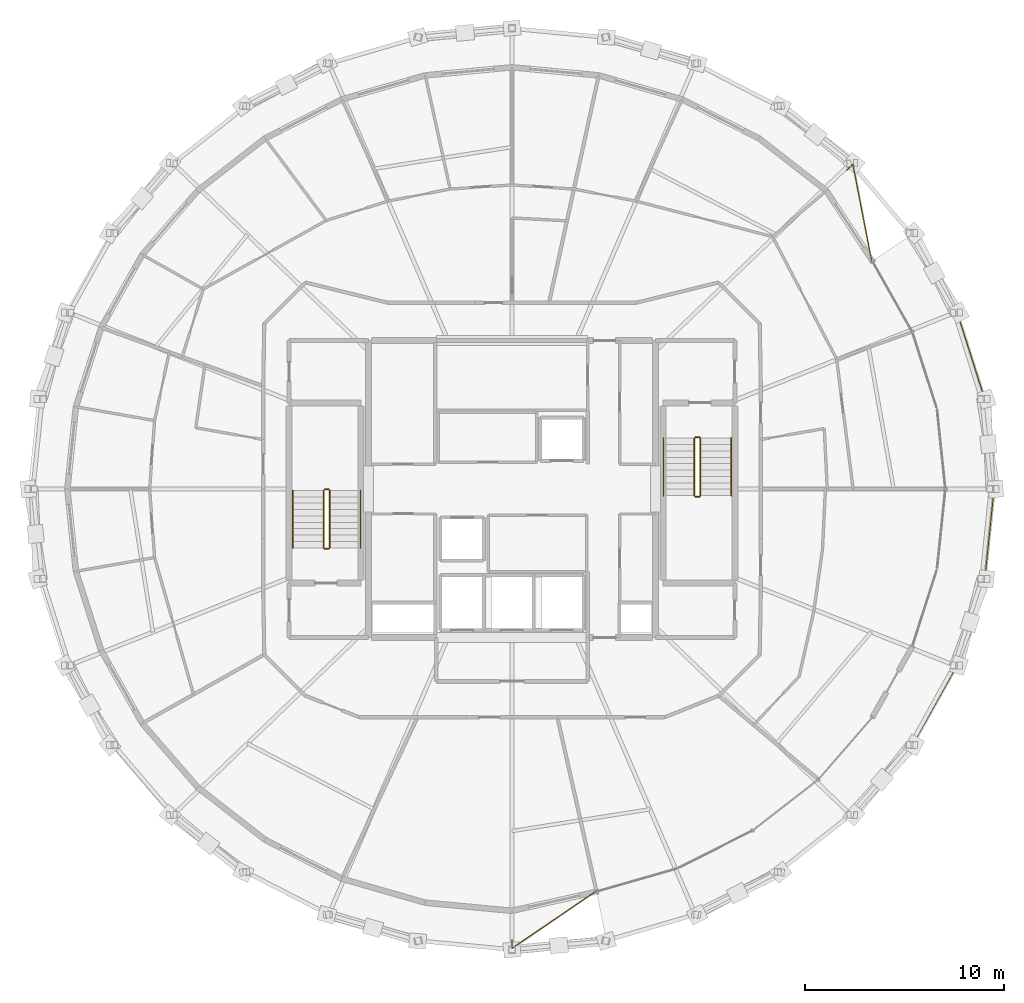
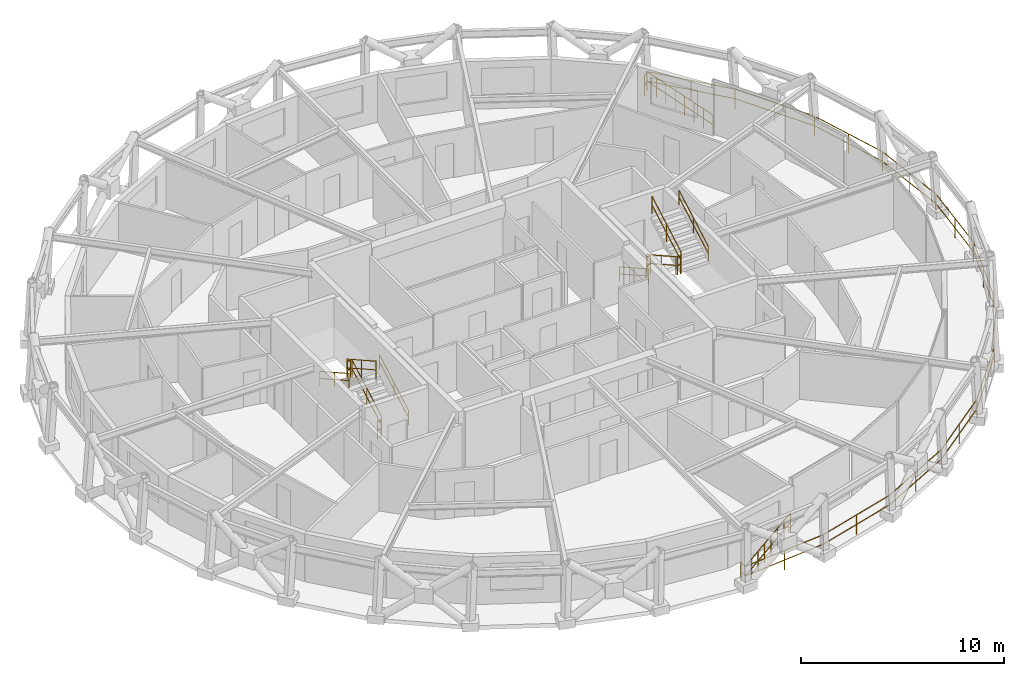
# One storey, part 18 of 18: 15 railings.
"""IFC4 building model written with IfcOpenShell, lengths in metres."""

import ifcopenshell
import ifcopenshell.guid

model = None  # the IFC model being written
_history = None  # IfcOwnerHistory: only IFC2X3 demands one
_inside = {}  # id of a spatial element -> (the spatial element, [elements in it])
_under = {}  # id of a project, library or spatial element -> (it, [spatial elements below it])
_declared = {}  # id of a project -> (the project, [libraries it declares])
_typed = {}  # id of a type object -> (the type object, [elements of that type])
_made_of = {}  # id of a material, layer set ... -> (it, [elements and type objects made of it])


def new_model(schema):
    """Start an empty IFC model of exactly this schema.

    Asked for "IFC4X3", IfcOpenShell would pick the latest addendum, in which some entities
    have other attributes; the version numbers below select the first issue.
    IFC2X3 requires an IfcOwnerHistory on every rooted entity: one is made here for all.
    """
    global model, _history
    if schema == "IFC4X3":
        model = ifcopenshell.file(schema_version=(4, 3, 0, 0))
    else:
        model = ifcopenshell.file(schema=schema)
    _inside.clear()
    _under.clear()
    _declared.clear()
    _typed.clear()
    _made_of.clear()
    _history = None
    if model.schema == "IFC2X3":
        org = make("IfcOrganization", Name="unknown")
        user = make(
            "IfcPersonAndOrganization",
            ThePerson=make("IfcPerson", FamilyName="unknown"),
            TheOrganization=org,
        )
        app = make(
            "IfcApplication",
            ApplicationDeveloper=org,
            Version="unknown",
            ApplicationFullName="unknown",
            ApplicationIdentifier="unknown",
        )
        _history = make(
            "IfcOwnerHistory",
            OwningUser=user,
            OwningApplication=app,
            ChangeAction="ADDED",
            CreationDate=0,
        )
    return model


def make(cls, **values):
    """One entity of the class cls with the attributes given. An attribute that is None is left unset."""
    return model.create_entity(
        cls, **{name: value for name, value in values.items() if value is not None}
    )


def rooted(cls, **values):
    """An entity with a GlobalId (a new one), such as an element, a storey or a relation."""
    return make(cls, GlobalId=ifcopenshell.guid.new(), OwnerHistory=_history, **values)


def si_unit(unit_type, name, prefix=None):
    """IfcSIUnit, for example si_unit("LENGTHUNIT", "METRE", prefix="MILLI")."""
    return make("IfcSIUnit", UnitType=unit_type, Prefix=prefix, Name=name)


def assignment(units):
    """IfcUnitAssignment: the units of a project."""
    return None if units is None else make("IfcUnitAssignment", Units=units)


def point(xyz):
    """IfcCartesianPoint."""
    return None if xyz is None else make("IfcCartesianPoint", Coordinates=xyz)


def direction(xyz):
    """IfcDirection."""
    return None if xyz is None else make("IfcDirection", DirectionRatios=xyz)


def frame(location, z_axis=None, x_axis=None):
    """IfcAxis2Placement3D, a coordinate frame: its origin and axes. An axis left out is left unset."""
    return make(
        "IfcAxis2Placement3D",
        Location=point(location),
        Axis=direction(z_axis),
        RefDirection=direction(x_axis),
    )


def frame_2d(location, x_axis=None):
    """IfcAxis2Placement2D, a coordinate frame in the plane: its origin and x axis."""
    return make(
        "IfcAxis2Placement2D", Location=point(location), RefDirection=direction(x_axis)
    )


def origin():
    """The frame at (0, 0, 0) with its axes left unset."""
    return frame((0.0, 0.0, 0.0))


def origin_2d():
    """The frame at (0, 0) in the plane with its x axis left unset."""
    return frame_2d((0.0, 0.0))


def place(relative_to, where):
    """IfcLocalPlacement: puts the frame where relative to a parent placement (None: the world)."""
    return make(
        "IfcLocalPlacement", PlacementRelTo=relative_to, RelativePlacement=where
    )


def context(
    kind, dimensions, precision=None, world=None, true_north=None, identifier=None
):
    """IfcGeometricRepresentationContext, for example the 3D "Model" context."""
    return make(
        "IfcGeometricRepresentationContext",
        ContextIdentifier=identifier,
        ContextType=kind,
        CoordinateSpaceDimension=dimensions,
        Precision=precision,
        WorldCoordinateSystem=world,
        TrueNorth=true_north,
    )


def subcontext(parent, identifier, kind, view, scale=None):
    """IfcGeometricRepresentationSubContext, for example "Body" below "Model"."""
    return make(
        "IfcGeometricRepresentationSubContext",
        ContextIdentifier=identifier,
        ContextType=kind,
        ParentContext=parent,
        TargetScale=scale,
        TargetView=view,
    )


def project(units=None, contexts=None):
    """IfcProject with its units and contexts."""
    return rooted(
        "IfcProject",
        Name="project",
        RepresentationContexts=contexts,
        UnitsInContext=assignment(units),
    )


def spatial(cls, under=None, at=None, **own):
    """A site, building, storey or space (cls), placed at a placement, below another one or the project."""
    s = rooted(cls, ObjectPlacement=at, **own)
    if under is not None:
        _under.setdefault(under.id(), (under, []))[1].append(s)
    return s


def profile(cls, at=None, kind="AREA", **sizes):
    """A parametric profile (cls). Its sizes go by their IFC names, for example OverallWidth=200.0."""
    return make(cls, ProfileType=kind, Position=at, **sizes)


def circle(**sizes):
    """IfcCircleProfileDef."""
    return profile("IfcCircleProfileDef", **sizes)


def extrude(swept, where, along, depth):
    """IfcExtrudedAreaSolid: the profile swept, set in the frame where, extruded along a direction by depth."""
    return make(
        "IfcExtrudedAreaSolid",
        SweptArea=swept,
        Position=where,
        ExtrudedDirection=direction(along),
        Depth=depth,
    )


def shape(context_of_items, identifier, shape_type, items):
    """IfcShapeRepresentation: the items that make up one representation, for example the "Body"."""
    return make(
        "IfcShapeRepresentation",
        ContextOfItems=context_of_items,
        RepresentationIdentifier=identifier,
        RepresentationType=shape_type,
        Items=items,
    )


def material(Name=None, Category=None):
    """IfcMaterial."""
    return make("IfcMaterial", Name=Name, Category=Category)


def made_of(thing, what):
    """Note that an element or type object is made of a material, layer set ...; save() writes the relation."""
    if what is not None:
        _made_of.setdefault(what.id(), (what, []))[1].append(thing)
    return thing


def type_object(cls, material=None, **own):
    """A type object (cls), such as IfcWallType, which elements share."""
    return made_of(rooted(cls, **own), material)


def element(
    cls,
    number,
    at=None,
    inside=None,
    cuts=None,
    type_object=None,
    material=None,
    context=None,
    identifier="Body",
    shape_type=None,
    held_by="IfcProductDefinitionShape",
    body=None,
    shapes=None,
    **own,
):
    """One element of the class cls, such as IfcWall. Its Tag is "e" and its number.

    at: its placement. inside: the storey or other place that contains it. cuts: it is an
    opening in that element (IfcRelVoidsElement). A single representation is given by context,
    identifier, shape_type and body (its items); several are given by shapes. held_by: the class
    of the entity that holds the representations. save() writes the other relations.
    """
    e = rooted(cls, Tag="e%d" % number, ObjectPlacement=at, **own)
    if body is not None:
        shapes = [shape(context, identifier, shape_type, body)]
    if shapes is not None:
        e.Representation = make(held_by, Representations=shapes)
    if inside is not None:
        _inside.setdefault(inside.id(), (inside, []))[1].append(e)
    if cuts is not None:
        rooted(
            "IfcRelVoidsElement", RelatingBuildingElement=cuts, RelatedOpeningElement=e
        )
    if type_object is not None:
        _typed.setdefault(type_object.id(), (type_object, []))[1].append(e)
    return made_of(e, material)


def aggregate(whole, parts):
    """IfcRelAggregates: a whole, such as a stair, and the parts it consists of."""
    return rooted("IfcRelAggregates", RelatingObject=whole, RelatedObjects=parts)


def save(model, path):
    """Write the relations noted so far, then the file.

    IfcRelAggregates (storeys below a building ...), IfcRelContainedInSpatialStructure (elements
    in a storey), IfcRelDefinesByType, IfcRelAssociatesMaterial and IfcRelDeclares: one each for
    every whole, place, type object, material and project.
    """
    for whole, parts in _under.values():
        aggregate(whole, parts)
    for where, things in _inside.values():
        rooted(
            "IfcRelContainedInSpatialStructure",
            RelatedElements=things,
            RelatingStructure=where,
        )
    for kind, things in _typed.values():
        rooted("IfcRelDefinesByType", RelatedObjects=things, RelatingType=kind)
    for what, things in _made_of.values():
        rooted("IfcRelAssociatesMaterial", RelatedObjects=things, RelatingMaterial=what)
    for by, libraries in _declared.values():
        rooted("IfcRelDeclares", RelatingContext=by, RelatedDefinitions=libraries)
    model.write(path)


model = new_model("IFC4")

# Units and contexts
model_context = context("Model", 3, precision=1e-05, world=origin(), true_north=direction((0.0, 1.0)))
body_context = subcontext(model_context, "Body", "Model", "MODEL_VIEW")
ifc_project = project(units=[si_unit("LENGTHUNIT", "METRE"), si_unit("AREAUNIT", "SQUARE_METRE"), si_unit("VOLUMEUNIT", "CUBIC_METRE"), si_unit("PLANEANGLEUNIT", "RADIAN"), si_unit("MASSUNIT", "GRAM", prefix="KILO")], contexts=[model_context])

# Site, building, storey
site_placement = place(None, origin())
site = spatial("IfcSite", under=ifc_project, at=site_placement, CompositionType="ELEMENT")
building_placement = place(site_placement, origin())
building = spatial("IfcBuilding", under=site, at=building_placement, Name="Veldorina Hangang Commons", CompositionType="ELEMENT")
storey_placement = place(building_placement, frame((0.0, 0.0, 232.800048828125)))
storey = spatial("IfcBuildingStorey", under=building, at=storey_placement, Name="L60", CompositionType="ELEMENT", Elevation=232.800048828125)

# Railings
ifc_material_1 = material(Name="Glass Laminated Safety Balustrade", Category="glass")
railing_type_1 = type_object("IfcRailingType", Name="RL-BAL-LOGGIA", PredefinedType="BALUSTRADE", material=ifc_material_1)
railing_1_placement = place(storey_placement, frame((32.0, 1.3818359375, 0.0)))
element("IfcRailing", 1, at=railing_1_placement, inside=storey, type_object=railing_type_1, Name="L60 sky-garden loggia end balustrade A", PredefinedType="BALUSTRADE", context=body_context, shape_type="SweptSolid", body=[
    extrude(circle(Radius=0.02392578125, at=origin_2d()), frame((0.0, 0.0, 1.17578125), z_axis=(0.0, -1.0, 0.0), x_axis=(1.0, 0.0, 0.0)), (0.0, 0.0, 1.0), 0.419921875),
    extrude(circle(Radius=0.02392578125, at=origin_2d()), frame((0.0, 0.0, 0.60009765625), z_axis=(0.0, -1.0, 0.0), x_axis=(1.0, 0.0, 0.0)), (0.0, 0.0, 1.0), 0.419921875),
    extrude(circle(Radius=0.02392578125, at=origin_2d()), frame((0.0, -0.419921875, 1.17578125), z_axis=(0.82733088494, 0.561714880365, 0.0), x_axis=(-0.561714880365, 0.82733088494, 0.0)), (0.0, 0.0, 1.0), 5.117919921875),
    extrude(circle(Radius=0.02392578125, at=origin_2d()), frame((0.0, -0.419921875, 0.60009765625), z_axis=(0.82733088494, 0.561714880365, 0.0), x_axis=(-0.561714880365, 0.82733088494, 0.0)), (0.0, 0.0, 1.0), 5.117919921875),
    extrude(circle(Radius=0.02099609375, at=origin_2d()), origin(), (0.0, 0.0, 1.0), 1.15185546875),
    extrude(circle(Radius=0.02099609375, at=origin_2d()), frame((0.0, -0.419921875, 0.0)), (0.0, 0.0, 1.0), 1.15185546875),
    extrude(circle(Radius=0.02099609375, at=origin_2d()), frame((0.60498046875, -0.00927734375, 0.0)), (0.0, 0.0, 1.0), 1.15185546875),
    extrude(circle(Radius=0.02099609375, at=origin_2d()), frame((1.209716796875, 0.4013671875, 0.0)), (0.0, 0.0, 1.0), 1.15185546875),
    extrude(circle(Radius=0.02099609375, at=origin_2d()), frame((1.814697265625, 0.81201171875, 0.0)), (0.0, 0.0, 1.0), 1.15185546875),
    extrude(circle(Radius=0.02099609375, at=origin_2d()), frame((2.41943359375, 1.222900390625, 0.0)), (0.0, 0.0, 1.0), 1.15185546875),
    extrude(circle(Radius=0.02099609375, at=origin_2d()), frame((3.0244140625, 1.633544921875, 0.0)), (0.0, 0.0, 1.0), 1.15185546875),
    extrude(circle(Radius=0.02099609375, at=origin_2d()), frame((3.629150390625, 2.044189453125, 0.0)), (0.0, 0.0, 1.0), 1.15185546875),
    extrude(circle(Radius=0.02099609375, at=origin_2d()), frame((4.234130859375, 2.454833984375, 0.0)), (0.0, 0.0, 1.0), 1.15185546875),
])
railing_2_placement = place(storey_placement, frame((48.796630859375, 40.002197265625, 0.0)))
element("IfcRailing", 2, at=railing_2_placement, inside=storey, type_object=railing_type_1, Name="L60 sky-garden loggia end balustrade B", PredefinedType="BALUSTRADE", context=body_context, shape_type="SweptSolid", body=[
    extrude(circle(Radius=0.02392578125, at=origin_2d()), frame((0.0, 0.0, 1.17578125), z_axis=(0.724054943119, 0.689742299228, 0.0), x_axis=(-0.689742299228, 0.724054943119, 0.0)), (0.0, 0.0, 1.0), 0.419677734375),
    extrude(circle(Radius=0.02392578125, at=origin_2d()), frame((0.0, 0.0, 0.60009765625), z_axis=(0.724054943119, 0.689742299228, 0.0), x_axis=(-0.689742299228, 0.724054943119, 0.0)), (0.0, 0.0, 1.0), 0.419677734375),
    extrude(circle(Radius=0.02392578125, at=origin_2d()), frame((0.303955078125, 0.28955078125, 1.17578125), z_axis=(0.190860437917, -0.981617182632, 0.0), x_axis=(0.981617182632, 0.190860437917, 0.0)), (0.0, 0.0, 1.0), 4.960693359375),
    extrude(circle(Radius=0.02392578125, at=origin_2d()), frame((0.303955078125, 0.28955078125, 0.60009765625), z_axis=(0.190860437917, -0.981617182632, 0.0), x_axis=(0.981617182632, 0.190860437917, 0.0)), (0.0, 0.0, 1.0), 4.960693359375),
    extrude(circle(Radius=0.02099609375, at=origin_2d()), origin(), (0.0, 0.0, 1.0), 1.15185546875),
    extrude(circle(Radius=0.02099609375, at=origin_2d()), frame((0.303955078125, 0.28955078125, 0.0)), (0.0, 0.0, 1.0), 1.15185546875),
    extrude(circle(Radius=0.02099609375, at=origin_2d()), frame((0.439208984375, -0.406005859375, 0.0)), (0.0, 0.0, 1.0), 1.15185546875),
    extrude(circle(Radius=0.02099609375, at=origin_2d()), frame((0.574462890625, -1.101806640625, 0.0)), (0.0, 0.0, 1.0), 1.15185546875),
    extrude(circle(Radius=0.02099609375, at=origin_2d()), frame((0.709716796875, -1.79736328125, 0.0)), (0.0, 0.0, 1.0), 1.15185546875),
    extrude(circle(Radius=0.02099609375, at=origin_2d()), frame((0.844970703125, -2.492919921875, 0.0)), (0.0, 0.0, 1.0), 1.15185546875),
    extrude(circle(Radius=0.02099609375, at=origin_2d()), frame((0.980224609375, -3.1884765625, 0.0)), (0.0, 0.0, 1.0), 1.15185546875),
    extrude(circle(Radius=0.02099609375, at=origin_2d()), frame((1.115478515625, -3.88427734375, 0.0)), (0.0, 0.0, 1.0), 1.15185546875),
    extrude(circle(Radius=0.02099609375, at=origin_2d()), frame((1.250732421875, -4.579833984375, 0.0)), (0.0, 0.0, 1.0), 1.15185546875),
])
railing_3_placement = place(storey_placement, frame((32.0, 0.9619140625, 0.0)))
element("IfcRailing", 3, at=railing_3_placement, inside=storey, type_object=railing_type_1, Name="L60 sky-garden loggia outer balustrade", PredefinedType="BALUSTRADE", context=body_context, shape_type="SweptSolid", body=[
    extrude(circle(Radius=0.02392578125, at=origin_2d()), frame((0.0, 0.0, 1.17578125), z_axis=(0.995631981184, 0.093364650929, 0.0), x_axis=(-0.093364650929, 0.995631981184, 0.0)), (0.0, 0.0, 1.0), 4.73828125),
    extrude(circle(Radius=0.02392578125, at=origin_2d()), frame((0.0, 0.0, 0.60009765625), z_axis=(0.995631981184, 0.093364650929, 0.0), x_axis=(-0.093364650929, 0.995631981184, 0.0)), (0.0, 0.0, 1.0), 4.73828125),
    extrude(circle(Radius=0.02392578125, at=origin_2d()), frame((4.717529296875, 0.4423828125, 1.17578125), z_axis=(0.960706218013, 0.277567221897, 0.0), x_axis=(-0.277567221897, 0.960706218013, 0.0)), (0.0, 0.0, 1.0), 4.722412109375),
    extrude(circle(Radius=0.02392578125, at=origin_2d()), frame((4.717529296875, 0.4423828125, 0.60009765625), z_axis=(0.960706218013, 0.277567221897, 0.0), x_axis=(-0.277567221897, 0.960706218013, 0.0)), (0.0, 0.0, 1.0), 4.722412109375),
    extrude(circle(Radius=0.02392578125, at=origin_2d()), frame((9.25439453125, 1.753173828125, 1.17578125), z_axis=(0.891177650946, 0.453654487969, 0.0), x_axis=(-0.453654487969, 0.891177650946, 0.0)), (0.0, 0.0, 1.0), 4.691650390625),
    extrude(circle(Radius=0.02392578125, at=origin_2d()), frame((9.25439453125, 1.753173828125, 0.60009765625), z_axis=(0.891177650946, 0.453654487969, 0.0), x_axis=(-0.453654487969, 0.891177650946, 0.0)), (0.0, 0.0, 1.0), 4.691650390625),
    extrude(circle(Radius=0.02392578125, at=origin_2d()), frame((13.435546875, 3.881591796875, 1.17578125), z_axis=(0.78787476278, 0.615835496034, 0.0), x_axis=(-0.615835496034, 0.78787476278, 0.0)), (0.0, 0.0, 1.0), 4.65185546875),
    extrude(circle(Radius=0.02392578125, at=origin_2d()), frame((13.435546875, 3.881591796875, 0.60009765625), z_axis=(0.78787476278, 0.615835496034, 0.0), x_axis=(-0.615835496034, 0.78787476278, 0.0)), (0.0, 0.0, 1.0), 4.65185546875),
    extrude(circle(Radius=0.02392578125, at=origin_2d()), frame((17.1005859375, 6.746337890625, 1.17578125), z_axis=(0.652796034653, 0.757533720135, 0.0), x_axis=(-0.757533720135, 0.652796034653, 0.0)), (0.0, 0.0, 1.0), 4.6083984375),
    extrude(circle(Radius=0.02392578125, at=origin_2d()), frame((17.1005859375, 6.746337890625, 0.60009765625), z_axis=(0.652796034653, 0.757533720135, 0.0), x_axis=(-0.757533720135, 0.652796034653, 0.0)), (0.0, 0.0, 1.0), 4.6083984375),
    extrude(circle(Radius=0.02392578125, at=origin_2d()), frame((20.10888671875, 10.2373046875, 1.17578125), z_axis=(0.489441350926, 0.87203621714, 0.0), x_axis=(-0.87203621714, 0.489441350926, 0.0)), (0.0, 0.0, 1.0), 4.567626953125),
    extrude(circle(Radius=0.02392578125, at=origin_2d()), frame((20.10888671875, 10.2373046875, 0.60009765625), z_axis=(0.489441350926, 0.87203621714, 0.0), x_axis=(-0.87203621714, 0.489441350926, 0.0)), (0.0, 0.0, 1.0), 4.567626953125),
    extrude(circle(Radius=0.02392578125, at=origin_2d()), frame((22.344482421875, 14.220458984375, 1.17578125), z_axis=(0.303428009912, 0.952854365998, 0.0), x_axis=(-0.952854365998, 0.303428009912, 0.0)), (0.0, 0.0, 1.0), 4.536376953125),
    extrude(circle(Radius=0.02392578125, at=origin_2d()), frame((22.344482421875, 14.220458984375, 0.60009765625), z_axis=(0.303428009912, 0.952854365998, 0.0), x_axis=(-0.952854365998, 0.303428009912, 0.0)), (0.0, 0.0, 1.0), 4.536376953125),
    extrude(circle(Radius=0.02392578125, at=origin_2d()), frame((23.720947265625, 18.54296875, 1.17578125), z_axis=(0.102862287368, 0.994695606624, 0.0), x_axis=(-0.994695606624, 0.102862287368, 0.0)), (0.0, 0.0, 1.0), 4.51904296875),
    extrude(circle(Radius=0.02392578125, at=origin_2d()), frame((23.720947265625, 18.54296875, 0.60009765625), z_axis=(0.102862287368, 0.994695606624, 0.0), x_axis=(-0.994695606624, 0.102862287368, 0.0)), (0.0, 0.0, 1.0), 4.51904296875),
    extrude(circle(Radius=0.02392578125, at=origin_2d()), frame((24.185791015625, 23.0380859375, 1.17578125), z_axis=(-0.102862287368, 0.994695606624, 0.0), x_axis=(-0.994695606624, -0.102862287368, 0.0)), (0.0, 0.0, 1.0), 4.51904296875),
    extrude(circle(Radius=0.02392578125, at=origin_2d()), frame((24.185791015625, 23.0380859375, 0.60009765625), z_axis=(-0.102862287368, 0.994695606624, 0.0), x_axis=(-0.994695606624, -0.102862287368, 0.0)), (0.0, 0.0, 1.0), 4.51904296875),
    extrude(circle(Radius=0.02392578125, at=origin_2d()), frame((23.720947265625, 27.533203125, 1.17578125), z_axis=(-0.303428009912, 0.952854365998, 0.0), x_axis=(-0.952854365998, -0.303428009912, 0.0)), (0.0, 0.0, 1.0), 4.536376953125),
    extrude(circle(Radius=0.02392578125, at=origin_2d()), frame((23.720947265625, 27.533203125, 0.60009765625), z_axis=(-0.303428009912, 0.952854365998, 0.0), x_axis=(-0.952854365998, -0.303428009912, 0.0)), (0.0, 0.0, 1.0), 4.536376953125),
    extrude(circle(Radius=0.02392578125, at=origin_2d()), frame((22.344482421875, 31.855712890625, 1.17578125), z_axis=(-0.489441350926, 0.87203621714, 0.0), x_axis=(-0.87203621714, -0.489441350926, 0.0)), (0.0, 0.0, 1.0), 4.567626953125),
    extrude(circle(Radius=0.02392578125, at=origin_2d()), frame((22.344482421875, 31.855712890625, 0.60009765625), z_axis=(-0.489441350926, 0.87203621714, 0.0), x_axis=(-0.87203621714, -0.489441350926, 0.0)), (0.0, 0.0, 1.0), 4.567626953125),
    extrude(circle(Radius=0.02392578125, at=origin_2d()), frame((20.10888671875, 35.8388671875, 1.17578125), z_axis=(-0.652796034653, 0.757533720135, 0.0), x_axis=(-0.757533720135, -0.652796034653, 0.0)), (0.0, 0.0, 1.0), 4.6083984375),
    extrude(circle(Radius=0.02392578125, at=origin_2d()), frame((20.10888671875, 35.8388671875, 0.60009765625), z_axis=(-0.652796034653, 0.757533720135, 0.0), x_axis=(-0.757533720135, -0.652796034653, 0.0)), (0.0, 0.0, 1.0), 4.6083984375),
    extrude(circle(Radius=0.02099609375, at=origin_2d()), origin(), (0.0, 0.0, 1.0), 1.15185546875),
    extrude(circle(Radius=0.02099609375, at=origin_2d()), frame((2.35888671875, 0.22119140625, 0.0)), (0.0, 0.0, 1.0), 1.15185546875),
    extrude(circle(Radius=0.02099609375, at=origin_2d()), frame((4.717529296875, 0.4423828125, 0.0)), (0.0, 0.0, 1.0), 1.15185546875),
    extrude(circle(Radius=0.02099609375, at=origin_2d()), frame((6.98583984375, 1.09765625, 0.0)), (0.0, 0.0, 1.0), 1.15185546875),
    extrude(circle(Radius=0.02099609375, at=origin_2d()), frame((9.25439453125, 1.753173828125, 0.0)), (0.0, 0.0, 1.0), 1.15185546875),
    extrude(circle(Radius=0.02099609375, at=origin_2d()), frame((11.344970703125, 2.8173828125, 0.0)), (0.0, 0.0, 1.0), 1.15185546875),
    extrude(circle(Radius=0.02099609375, at=origin_2d()), frame((13.435546875, 3.881591796875, 0.0)), (0.0, 0.0, 1.0), 1.15185546875),
    extrude(circle(Radius=0.02099609375, at=origin_2d()), frame((15.26806640625, 5.31396484375, 0.0)), (0.0, 0.0, 1.0), 1.15185546875),
    extrude(circle(Radius=0.02099609375, at=origin_2d()), frame((17.1005859375, 6.746337890625, 0.0)), (0.0, 0.0, 1.0), 1.15185546875),
    extrude(circle(Radius=0.02099609375, at=origin_2d()), frame((18.604736328125, 8.49169921875, 0.0)), (0.0, 0.0, 1.0), 1.15185546875),
    extrude(circle(Radius=0.02099609375, at=origin_2d()), frame((20.10888671875, 10.2373046875, 0.0)), (0.0, 0.0, 1.0), 1.15185546875),
    extrude(circle(Radius=0.02099609375, at=origin_2d()), frame((21.2265625, 12.22900390625, 0.0)), (0.0, 0.0, 1.0), 1.15185546875),
    extrude(circle(Radius=0.02099609375, at=origin_2d()), frame((22.344482421875, 14.220458984375, 0.0)), (0.0, 0.0, 1.0), 1.15185546875),
    extrude(circle(Radius=0.02099609375, at=origin_2d()), frame((23.03271484375, 16.3818359375, 0.0)), (0.0, 0.0, 1.0), 1.15185546875),
    extrude(circle(Radius=0.02099609375, at=origin_2d()), frame((23.720947265625, 18.54296875, 0.0)), (0.0, 0.0, 1.0), 1.15185546875),
    extrude(circle(Radius=0.02099609375, at=origin_2d()), frame((23.953369140625, 20.79052734375, 0.0)), (0.0, 0.0, 1.0), 1.15185546875),
    extrude(circle(Radius=0.02099609375, at=origin_2d()), frame((24.185791015625, 23.0380859375, 0.0)), (0.0, 0.0, 1.0), 1.15185546875),
    extrude(circle(Radius=0.02099609375, at=origin_2d()), frame((23.953369140625, 25.28564453125, 0.0)), (0.0, 0.0, 1.0), 1.15185546875),
    extrude(circle(Radius=0.02099609375, at=origin_2d()), frame((23.720947265625, 27.533203125, 0.0)), (0.0, 0.0, 1.0), 1.15185546875),
    extrude(circle(Radius=0.02099609375, at=origin_2d()), frame((23.03271484375, 29.6943359375, 0.0)), (0.0, 0.0, 1.0), 1.15185546875),
    extrude(circle(Radius=0.02099609375, at=origin_2d()), frame((22.344482421875, 31.855712890625, 0.0)), (0.0, 0.0, 1.0), 1.15185546875),
    extrude(circle(Radius=0.02099609375, at=origin_2d()), frame((21.2265625, 33.84716796875, 0.0)), (0.0, 0.0, 1.0), 1.15185546875),
    extrude(circle(Radius=0.02099609375, at=origin_2d()), frame((20.10888671875, 35.8388671875, 0.0)), (0.0, 0.0, 1.0), 1.15185546875),
    extrude(circle(Radius=0.02099609375, at=origin_2d()), frame((18.604736328125, 37.58447265625, 0.0)), (0.0, 0.0, 1.0), 1.15185546875),
    extrude(circle(Radius=0.02099609375, at=origin_2d()), frame((17.1005859375, 39.329833984375, 0.0)), (0.0, 0.0, 1.0), 1.15185546875),
])
ifc_material_2 = material(Name="Steel Painted Balustrade", Category="steel")
railing_type_2 = type_object("IfcRailingType", Name="RL-GRD-STAIR", PredefinedType="GUARDRAIL", material=ifc_material_2)
railing_4_placement = place(storey_placement, frame((22.85009765625, 21.050048828125, 0.179931640625)))
element("IfcRailing", 4, at=railing_4_placement, inside=storey, type_object=railing_type_2, Name="L60 ST-1 stair guard 1", PredefinedType="GUARDRAIL", context=body_context, shape_type="SweptSolid", body=[
    extrude(circle(Radius=0.02392578125, at=origin_2d()), frame((0.0, 0.0, 1.076171875), z_axis=(0.0, 0.87155185771, 0.490303333991), x_axis=(-1.0, 0.0, 0.0)), (0.0, 0.0, 1.0), 3.30419921875),
    extrude(circle(Radius=0.02392578125, at=origin_2d()), frame((0.0, 0.0, 0.550048828125), z_axis=(0.0, 0.87155185771, 0.490303333991), x_axis=(-1.0, 0.0, 0.0)), (0.0, 0.0, 1.0), 3.30419921875),
    extrude(circle(Radius=0.02099609375, at=origin_2d()), origin(), (0.0, 0.0, 1.0), 1.052001953125),
    extrude(circle(Radius=0.02099609375, at=origin_2d()), frame((0.0, 1.43994140625, 0.81005859375)), (0.0, 0.0, 1.0), 1.052001953125),
    extrude(circle(Radius=0.02099609375, at=origin_2d()), frame((0.0, 2.8798828125, 1.6201171875)), (0.0, 0.0, 1.0), 1.052001953125),
])
railing_5_placement = place(storey_placement, frame((22.800048828125, 23.97998046875, 1.800048828125)))
element("IfcRailing", 5, at=railing_5_placement, inside=storey, type_object=railing_type_2, Name="L60 ST-1 stair guard 2", PredefinedType="GUARDRAIL", context=body_context, shape_type="SweptSolid", body=[
    extrude(circle(Radius=0.02392578125, at=origin_2d()), frame((0.0, 0.0, 1.076171875), z_axis=(-1.0, 0.0, 0.0), x_axis=(0.0, -1.0, 0.0)), (0.0, 0.0, 1.0), 0.199951171875),
    extrude(circle(Radius=0.02392578125, at=origin_2d()), frame((0.0, 0.0, 0.550048828125), z_axis=(-1.0, 0.0, 0.0), x_axis=(0.0, -1.0, 0.0)), (0.0, 0.0, 1.0), 0.199951171875),
    extrude(circle(Radius=0.02099609375, at=origin_2d()), origin(), (0.0, 0.0, 1.0), 1.052001953125),
    extrude(circle(Radius=0.02099609375, at=origin_2d()), frame((-0.199951171875, 0.0, 0.0)), (0.0, 0.0, 1.0), 1.052001953125),
])
railing_6_placement = place(storey_placement, frame((22.550048828125, 23.929931640625, 1.97998046875)))
element("IfcRailing", 6, at=railing_6_placement, inside=storey, type_object=railing_type_2, Name="L60 ST-1 stair guard 3", PredefinedType="GUARDRAIL", context=body_context, shape_type="SweptSolid", body=[
    extrude(circle(Radius=0.02392578125, at=origin_2d()), frame((0.0, 0.0, 1.076171875), z_axis=(0.0, -0.871583430097, 0.490247207417), x_axis=(1.0, 0.0, 0.0)), (0.0, 0.0, 1.0), 3.30419921875),
    extrude(circle(Radius=0.02392578125, at=origin_2d()), frame((0.0, 0.0, 0.550048828125), z_axis=(0.0, -0.871583430097, 0.490247207417), x_axis=(1.0, 0.0, 0.0)), (0.0, 0.0, 1.0), 3.30419921875),
    extrude(circle(Radius=0.02099609375, at=origin_2d()), origin(), (0.0, 0.0, 1.0), 1.052001953125),
    extrude(circle(Radius=0.02099609375, at=origin_2d()), frame((0.0, -1.43994140625, 0.81005859375)), (0.0, 0.0, 1.0), 1.052001953125),
    extrude(circle(Radius=0.02099609375, at=origin_2d()), frame((0.0, -2.8798828125, 1.619873046875)), (0.0, 0.0, 1.0), 1.052001953125),
])
railing_7_placement = place(storey_placement, frame((22.800048828125, 21.0, 0.0)))
element("IfcRailing", 7, at=railing_7_placement, inside=storey, type_object=railing_type_2, Name="L60 ST-1 stair guard 4", PredefinedType="GUARDRAIL", context=body_context, shape_type="SweptSolid", body=[
    extrude(circle(Radius=0.02392578125, at=origin_2d()), frame((0.0, 0.0, 1.076171875), z_axis=(-1.0, 0.0, 0.0), x_axis=(0.0, -1.0, 0.0)), (0.0, 0.0, 1.0), 0.199951171875),
    extrude(circle(Radius=0.02392578125, at=origin_2d()), frame((0.0, 0.0, 0.550048828125), z_axis=(-1.0, 0.0, 0.0), x_axis=(0.0, -1.0, 0.0)), (0.0, 0.0, 1.0), 0.199951171875),
    extrude(circle(Radius=0.02099609375, at=origin_2d()), origin(), (0.0, 0.0, 1.0), 1.052001953125),
    extrude(circle(Radius=0.02099609375, at=origin_2d()), frame((-0.199951171875, 0.0, 0.0)), (0.0, 0.0, 1.0), 1.052001953125),
])
railing_8_placement = place(storey_placement, frame((41.14990234375, 26.550048828125, 0.179931640625)))
element("IfcRailing", 8, at=railing_8_placement, inside=storey, type_object=railing_type_2, Name="L60 ST-2 stair guard 1", PredefinedType="GUARDRAIL", context=body_context, shape_type="SweptSolid", body=[
    extrude(circle(Radius=0.02392578125, at=origin_2d()), frame((0.0, 0.0, 1.076171875), z_axis=(0.0, -0.871569617843, 0.490271762652), x_axis=(1.0, 0.0, 0.0)), (0.0, 0.0, 1.0), 3.304443359375),
    extrude(circle(Radius=0.02392578125, at=origin_2d()), frame((0.0, 0.0, 0.550048828125), z_axis=(0.0, -0.871569617843, 0.490271762652), x_axis=(1.0, 0.0, 0.0)), (0.0, 0.0, 1.0), 3.304443359375),
    extrude(circle(Radius=0.02099609375, at=origin_2d()), origin(), (0.0, 0.0, 1.0), 1.052001953125),
    extrude(circle(Radius=0.02099609375, at=origin_2d()), frame((0.0, -1.43994140625, 0.81005859375)), (0.0, 0.0, 1.0), 1.052001953125),
    extrude(circle(Radius=0.02099609375, at=origin_2d()), frame((0.0, -2.880126953125, 1.6201171875)), (0.0, 0.0, 1.0), 1.052001953125),
])
railing_9_placement = place(storey_placement, frame((41.199951171875, 23.6201171875, 1.800048828125)))
element("IfcRailing", 9, at=railing_9_placement, inside=storey, type_object=railing_type_2, Name="L60 ST-2 stair guard 2", PredefinedType="GUARDRAIL", context=body_context, shape_type="SweptSolid", body=[
    extrude(circle(Radius=0.02392578125, at=origin_2d()), frame((0.0, 0.0, 1.076171875), z_axis=(1.0, 0.0, 0.0), x_axis=(0.0, 1.0, 0.0)), (0.0, 0.0, 1.0), 0.199951171875),
    extrude(circle(Radius=0.02392578125, at=origin_2d()), frame((0.0, 0.0, 0.550048828125), z_axis=(1.0, 0.0, 0.0), x_axis=(0.0, 1.0, 0.0)), (0.0, 0.0, 1.0), 0.199951171875),
    extrude(circle(Radius=0.02099609375, at=origin_2d()), origin(), (0.0, 0.0, 1.0), 1.052001953125),
    extrude(circle(Radius=0.02099609375, at=origin_2d()), frame((0.199951171875, 0.0, 0.0)), (0.0, 0.0, 1.0), 1.052001953125),
])
railing_10_placement = place(storey_placement, frame((41.449951171875, 23.669921875, 1.97998046875)))
element("IfcRailing", 10, at=railing_10_placement, inside=storey, type_object=railing_type_2, Name="L60 ST-2 stair guard 3", PredefinedType="GUARDRAIL", context=body_context, shape_type="SweptSolid", body=[
    extrude(circle(Radius=0.02392578125, at=origin_2d()), frame((0.0, 0.0, 1.076171875), z_axis=(0.0, 0.871601186807, 0.490215637405), x_axis=(-1.0, 0.0, 0.0)), (0.0, 0.0, 1.0), 3.304443359375),
    extrude(circle(Radius=0.02392578125, at=origin_2d()), frame((0.0, 0.0, 0.550048828125), z_axis=(0.0, 0.871601186807, 0.490215637405), x_axis=(-1.0, 0.0, 0.0)), (0.0, 0.0, 1.0), 3.304443359375),
    extrude(circle(Radius=0.02099609375, at=origin_2d()), origin(), (0.0, 0.0, 1.0), 1.052001953125),
    extrude(circle(Radius=0.02099609375, at=origin_2d()), frame((0.0, 1.43994140625, 0.81005859375)), (0.0, 0.0, 1.0), 1.052001953125),
    extrude(circle(Radius=0.02099609375, at=origin_2d()), frame((0.0, 2.880126953125, 1.619873046875)), (0.0, 0.0, 1.0), 1.052001953125),
])
railing_11_placement = place(storey_placement, frame((41.199951171875, 26.60009765625, 0.0)))
element("IfcRailing", 11, at=railing_11_placement, inside=storey, type_object=railing_type_2, Name="L60 ST-2 stair guard 4", PredefinedType="GUARDRAIL", context=body_context, shape_type="SweptSolid", body=[
    extrude(circle(Radius=0.02392578125, at=origin_2d()), frame((0.0, 0.0, 1.076171875), z_axis=(1.0, 0.0, 0.0), x_axis=(0.0, 1.0, 0.0)), (0.0, 0.0, 1.0), 0.199951171875),
    extrude(circle(Radius=0.02392578125, at=origin_2d()), frame((0.0, 0.0, 0.550048828125), z_axis=(1.0, 0.0, 0.0), x_axis=(0.0, 1.0, 0.0)), (0.0, 0.0, 1.0), 0.199951171875),
    extrude(circle(Radius=0.02099609375, at=origin_2d()), origin(), (0.0, 0.0, 1.0), 1.052001953125),
    extrude(circle(Radius=0.02099609375, at=origin_2d()), frame((0.199951171875, 0.0, 0.0)), (0.0, 0.0, 1.0), 1.052001953125),
])
ifc_material_3 = material(Name="Stainless Steel Brushed 316", Category="steel")
railing_type_3 = type_object("IfcRailingType", Name="RL-HND-STAIR", PredefinedType="HANDRAIL", material=ifc_material_3)
railing_12_placement = place(storey_placement, frame((24.39990234375, 21.050048828125, 0.179931640625)))
element("IfcRailing", 12, at=railing_12_placement, inside=storey, type_object=railing_type_3, Name="L60 ST-1 stair handrail 1", PredefinedType="HANDRAIL", context=body_context, shape_type="SweptSolid", body=[
    extrude(circle(Radius=0.02392578125, at=origin_2d()), frame((0.0, 0.0, 0.8759765625), z_axis=(0.0, 0.87155185771, 0.490303333991), x_axis=(-1.0, 0.0, 0.0)), (0.0, 0.0, 1.0), 3.30419921875),
    extrude(circle(Radius=0.02392578125, at=origin_2d()), frame((0.0, 0.0, 0.449951171875), z_axis=(0.0, 0.87155185771, 0.490303333991), x_axis=(-1.0, 0.0, 0.0)), (0.0, 0.0, 1.0), 3.30419921875),
    extrude(circle(Radius=0.02099609375, at=origin_2d()), origin(), (0.0, 0.0, 1.0), 0.851806640625),
    extrude(circle(Radius=0.02099609375, at=origin_2d()), frame((0.0, 1.43994140625, 0.81005859375)), (0.0, 0.0, 1.0), 0.851806640625),
    extrude(circle(Radius=0.02099609375, at=origin_2d()), frame((0.0, 2.8798828125, 1.6201171875)), (0.0, 0.0, 1.0), 0.851806640625),
])
railing_13_placement = place(storey_placement, frame((21.0, 23.929931640625, 1.97998046875)))
element("IfcRailing", 13, at=railing_13_placement, inside=storey, type_object=railing_type_3, Name="L60 ST-1 stair handrail 2", PredefinedType="HANDRAIL", context=body_context, shape_type="SweptSolid", body=[
    extrude(circle(Radius=0.02392578125, at=origin_2d()), frame((0.0, 0.0, 0.8759765625), z_axis=(0.0, -0.871583430097, 0.490247207417), x_axis=(1.0, 0.0, 0.0)), (0.0, 0.0, 1.0), 3.30419921875),
    extrude(circle(Radius=0.02392578125, at=origin_2d()), frame((0.0, 0.0, 0.449951171875), z_axis=(0.0, -0.871583430097, 0.490247207417), x_axis=(1.0, 0.0, 0.0)), (0.0, 0.0, 1.0), 3.30419921875),
    extrude(circle(Radius=0.02099609375, at=origin_2d()), origin(), (0.0, 0.0, 1.0), 0.851806640625),
    extrude(circle(Radius=0.02099609375, at=origin_2d()), frame((0.0, -1.43994140625, 0.81005859375)), (0.0, 0.0, 1.0), 0.851806640625),
    extrude(circle(Radius=0.02099609375, at=origin_2d()), frame((0.0, -2.8798828125, 1.619873046875)), (0.0, 0.0, 1.0), 0.851806640625),
])
railing_14_placement = place(storey_placement, frame((39.60009765625, 26.550048828125, 0.179931640625)))
element("IfcRailing", 14, at=railing_14_placement, inside=storey, type_object=railing_type_3, Name="L60 ST-2 stair handrail 1", PredefinedType="HANDRAIL", context=body_context, shape_type="SweptSolid", body=[
    extrude(circle(Radius=0.02392578125, at=origin_2d()), frame((0.0, 0.0, 0.8759765625), z_axis=(0.0, -0.871569617843, 0.490271762652), x_axis=(1.0, 0.0, 0.0)), (0.0, 0.0, 1.0), 3.304443359375),
    extrude(circle(Radius=0.02392578125, at=origin_2d()), frame((0.0, 0.0, 0.449951171875), z_axis=(0.0, -0.871569617843, 0.490271762652), x_axis=(1.0, 0.0, 0.0)), (0.0, 0.0, 1.0), 3.304443359375),
    extrude(circle(Radius=0.02099609375, at=origin_2d()), origin(), (0.0, 0.0, 1.0), 0.851806640625),
    extrude(circle(Radius=0.02099609375, at=origin_2d()), frame((0.0, -1.43994140625, 0.81005859375)), (0.0, 0.0, 1.0), 0.851806640625),
    extrude(circle(Radius=0.02099609375, at=origin_2d()), frame((0.0, -2.880126953125, 1.6201171875)), (0.0, 0.0, 1.0), 0.851806640625),
])
railing_15_placement = place(storey_placement, frame((43.0, 23.669921875, 1.97998046875)))
element("IfcRailing", 15, at=railing_15_placement, inside=storey, type_object=railing_type_3, Name="L60 ST-2 stair handrail 2", PredefinedType="HANDRAIL", context=body_context, shape_type="SweptSolid", body=[
    extrude(circle(Radius=0.02392578125, at=origin_2d()), frame((0.0, 0.0, 0.8759765625), z_axis=(0.0, 0.871601186807, 0.490215637405), x_axis=(-1.0, 0.0, 0.0)), (0.0, 0.0, 1.0), 3.304443359375),
    extrude(circle(Radius=0.02392578125, at=origin_2d()), frame((0.0, 0.0, 0.449951171875), z_axis=(0.0, 0.871601186807, 0.490215637405), x_axis=(-1.0, 0.0, 0.0)), (0.0, 0.0, 1.0), 3.304443359375),
    extrude(circle(Radius=0.02099609375, at=origin_2d()), origin(), (0.0, 0.0, 1.0), 0.851806640625),
    extrude(circle(Radius=0.02099609375, at=origin_2d()), frame((0.0, 1.43994140625, 0.81005859375)), (0.0, 0.0, 1.0), 0.851806640625),
    extrude(circle(Radius=0.02099609375, at=origin_2d()), frame((0.0, 2.880126953125, 1.619873046875)), (0.0, 0.0, 1.0), 0.851806640625),
])

save(model, "model.ifc")
